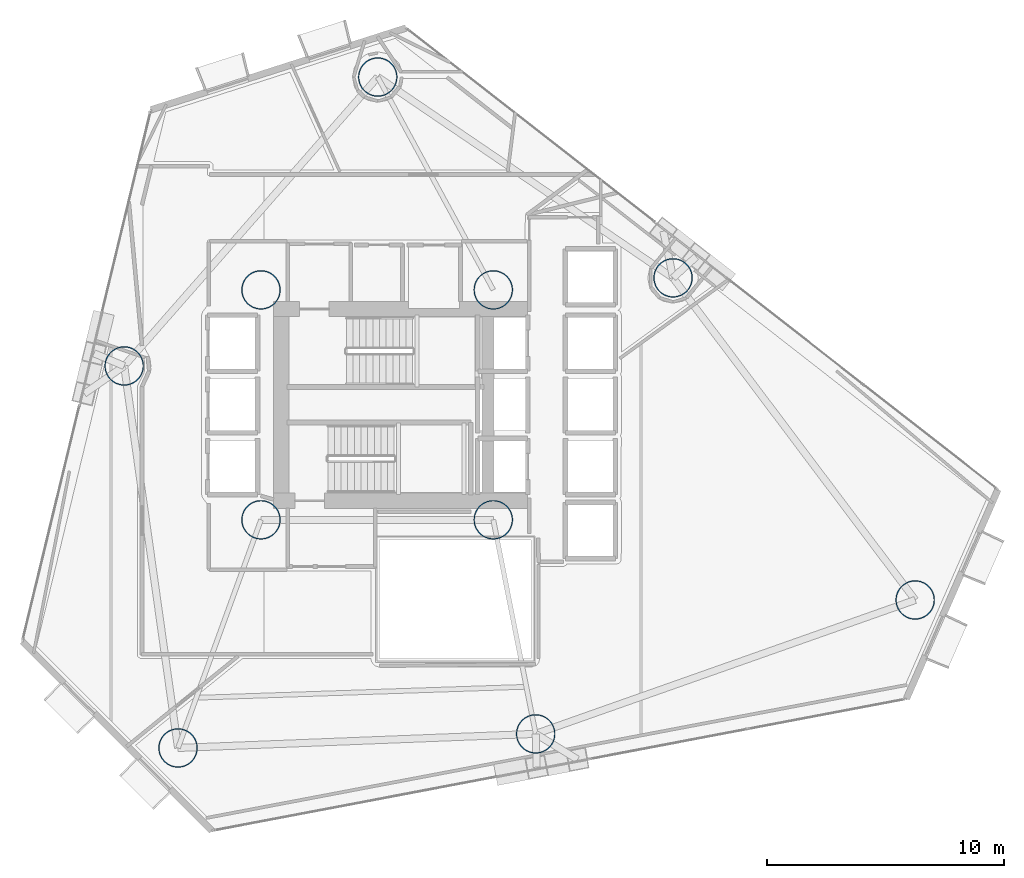
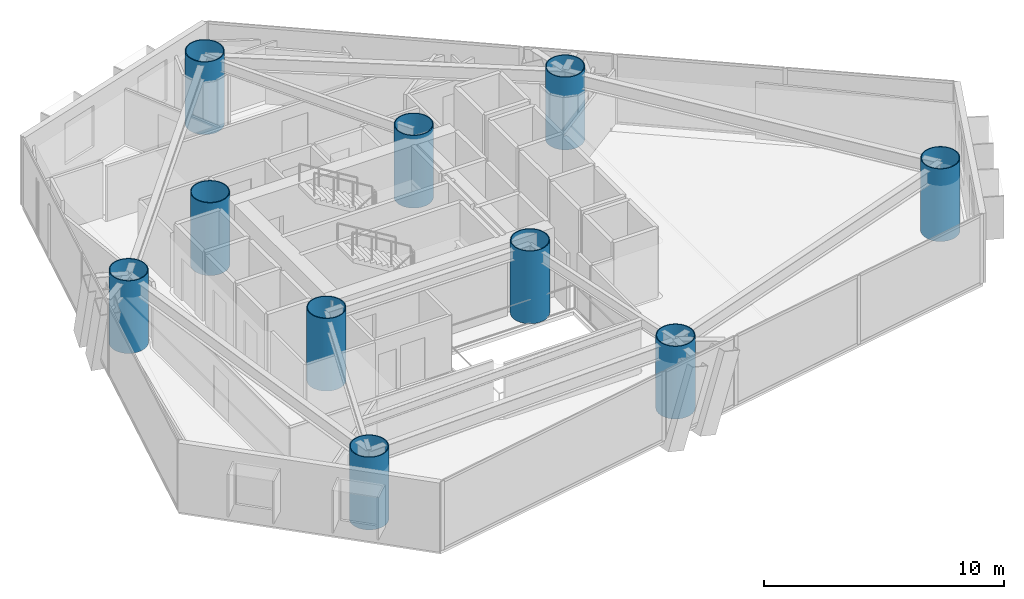
# One storey, part 1 of 23: 10 columns.
"""IFC4 building model written with IfcOpenShell, lengths in metres."""

from ifc_helpers import new_model, si_unit, direction, frame, origin, origin_2d, place, context, subcontext, project, spatial, hollow_circle, extrude, material, material_profile, profile_set, type_object, element, save


model = new_model("IFC4")

# Units and contexts
model_context = context("Model", 3, precision=1e-05, world=origin(), true_north=direction((0.0, 1.0)))
body_context = subcontext(model_context, "Body", "Model", "MODEL_VIEW")
ifc_project = project(units=[si_unit("LENGTHUNIT", "METRE"), si_unit("AREAUNIT", "SQUARE_METRE"), si_unit("VOLUMEUNIT", "CUBIC_METRE"), si_unit("PLANEANGLEUNIT", "RADIAN"), si_unit("MASSUNIT", "GRAM", prefix="KILO")], contexts=[model_context])

# Site, building, storey
site_placement = place(None, origin())
site = spatial("IfcSite", under=ifc_project, at=site_placement, CompositionType="ELEMENT")
building_placement = place(site_placement, origin())
building = spatial("IfcBuilding", under=site, at=building_placement, Name="Qianvela Tower", CompositionType="ELEMENT")
storey_placement = place(building_placement, frame((0.0, 0.0, 85.800048828125)))
storey = spatial("IfcBuildingStorey", under=building, at=storey_placement, Name="L21", CompositionType="ELEMENT", Elevation=85.800048828125)

# Columns
ifc_material = material(Name="Steel Q420GJC", Category="steel")
ifc_material_profile = material_profile(ifc_material, hollow_circle(Radius=0.824951171875, WallThickness=0.0400390625, at=origin_2d()), Name="CFT-1650x40")
ifc_profile_set = profile_set([ifc_material_profile], Name="Steel Q420GJC")
column_type = type_object("IfcColumnType", Name="COL-CFT-1650x40", PredefinedType="COLUMN", material=ifc_profile_set)
for number, where, z_axis, x_axis, name in (
    (1, (28.60009765625, 33.550048828125, 0.0), (0.0, 0.0, 1.0), (1.0, 0.0, 0.0), "L21 Core Corner Mega-Column CC-NW"),
    (2, (28.60009765625, 23.85009765625, 0.0), (0.0, 0.0, 1.0), (1.0, 0.0, 0.0), "L21 Core Corner Mega-Column CC-SW"),
    (3, (38.39990234375, 33.550048828125, 0.0), (0.0, 0.0, 1.0), (1.0, 0.0, 0.0), "L21 Core Corner Mega-Column CC-NE"),
    (4, (38.39990234375, 23.85009765625, 0.0), (0.0, 0.0, 1.0), (1.0, 0.0, 0.0), "L21 Core Corner Mega-Column CC-SE"),
    (5, (56.198974609375, 20.468017578125, 0.0), (0.0, 0.0, 1.0), (1.0, 0.0, 0.0), "L21 Zone Z2 CFT Mega-Column C1"),
    (6, (45.98388671875, 34.056884765625, 0.0), (0.0, 0.0, 1.0), (1.0, 0.0, 0.0), "L21 Zone Z2 CFT Mega-Column C2"),
    (7, (33.52587890625, 42.529052734375, 0.0), (0.0, 0.0, 1.0), (1.0, 0.0, 0.0), "L21 Zone Z2 CFT Mega-Column C3"),
    (8, (22.8291015625, 30.340087890625, 0.0), (0.0, 0.0, 1.0), (1.0, 0.0, 0.0), "L21 Zone Z2 CFT Mega-Column C4"),
    (9, (25.10009765625, 14.22509765625, 0.0), (0.0, 0.0, 1.0), (1.0, 0.0, 0.0), "L21 Zone Z2 CFT Mega-Column C5"),
    (10, (40.18896484375, 14.819091796875, 0.0), (0.0, 0.0, 1.0), (1.0, 0.0, 0.0), "L21 Zone Z2 CFT Mega-Column C6"),
):
    element("IfcColumn", number, at=place(storey_placement, frame(where, z_axis=z_axis, x_axis=x_axis)), inside=storey, type_object=column_type, Name=name, PredefinedType="COLUMN", context=body_context, shape_type="SweptSolid", body=[
        extrude(hollow_circle(Radius=0.824951171875, WallThickness=0.0400390625, at=origin_2d()), origin(), (0.0, 0.0, 1.0), 3.699951171875),
    ])

save(model, "model.ifc")
